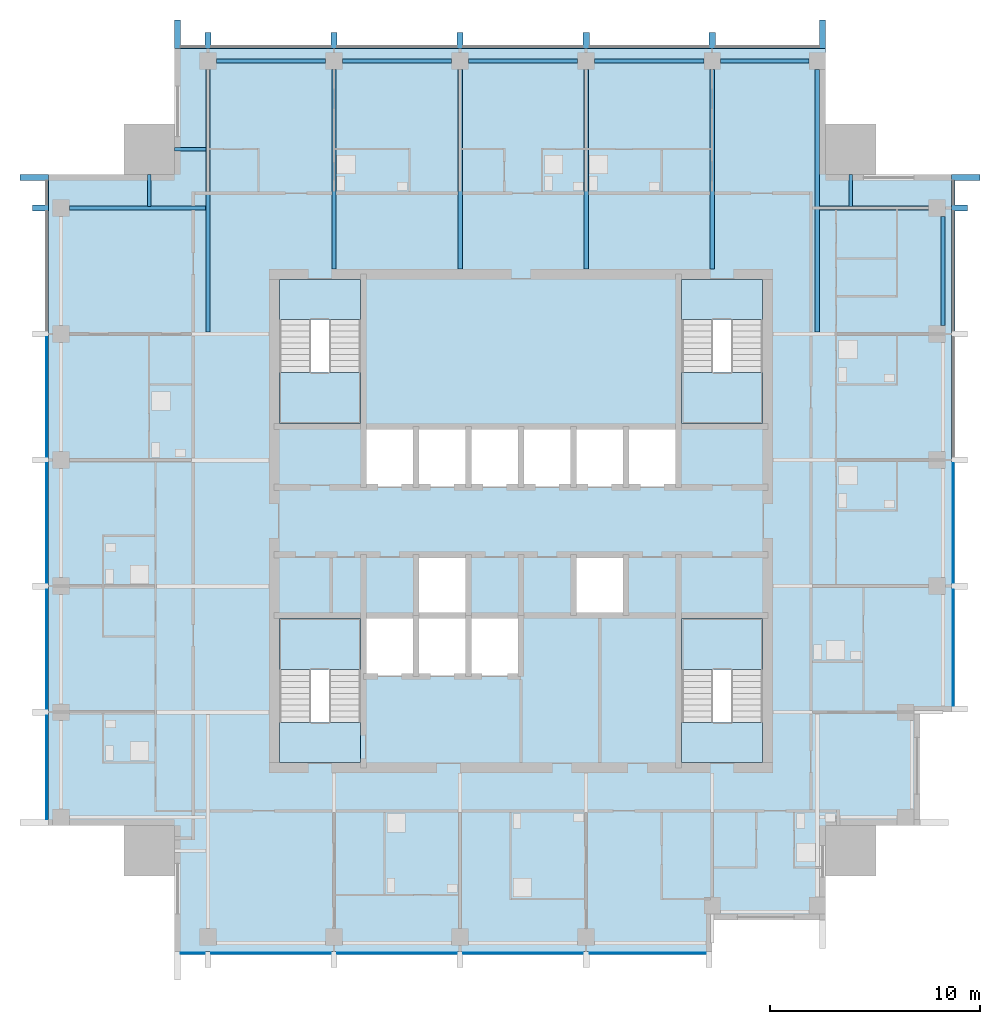
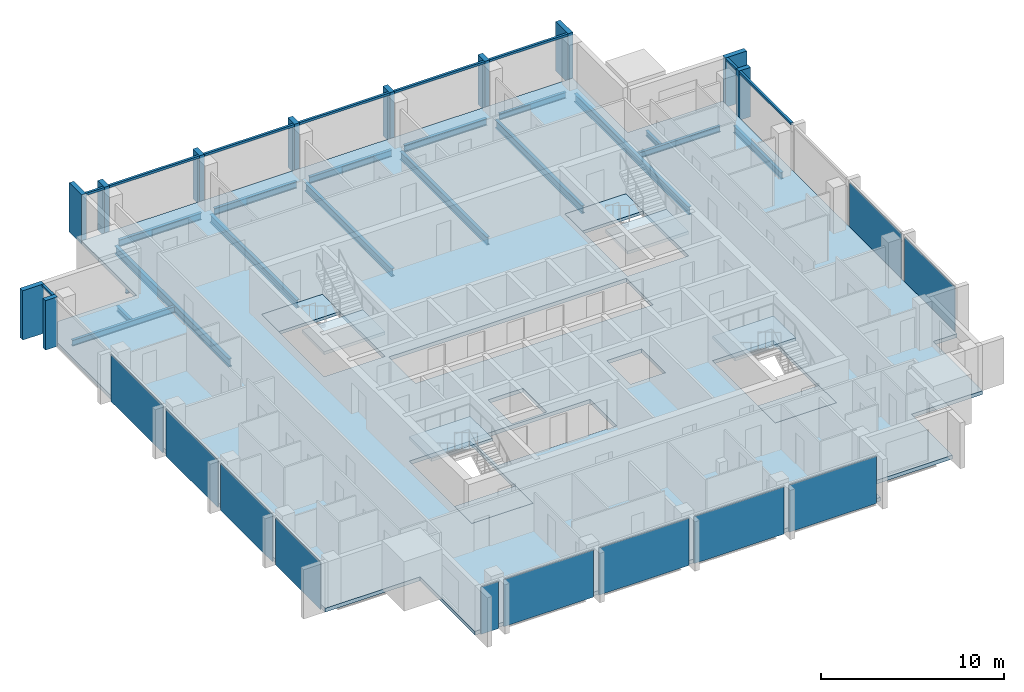
# One storey, part 2 of 9: 20 members, 17 beams, 11 plates, 9 slabs, 8 elements without a shape of their own.
"""IFC4 building model written with IfcOpenShell, lengths in metres."""

from ifc_helpers import new_model, si_unit, direction, frame, origin, origin_2d, place, context, subcontext, project, spatial, polyline, rectangle, i_section, outline, extrude, material, layer, layer_set, material_profile, profile_set, type_object, element, aggregate, save


model = new_model("IFC4")

# Units and contexts
model_context = context("Model", 3, precision=1e-05, world=origin(), true_north=direction((0.0, 1.0)))
body_context = subcontext(model_context, "Body", "Model", "MODEL_VIEW")
ifc_project = project(units=[si_unit("LENGTHUNIT", "METRE"), si_unit("AREAUNIT", "SQUARE_METRE"), si_unit("VOLUMEUNIT", "CUBIC_METRE"), si_unit("PLANEANGLEUNIT", "RADIAN"), si_unit("MASSUNIT", "GRAM", prefix="KILO")], contexts=[model_context])

# Site, building, storey
site_placement = place(None, origin())
site = spatial("IfcSite", under=ifc_project, at=site_placement, CompositionType="ELEMENT")
building_placement = place(site_placement, origin())
building = spatial("IfcBuilding", under=site, at=building_placement, Name="Amberfall Residences", CompositionType="ELEMENT")
storey_placement = place(building_placement, frame((0.0, 0.0, 265.300048828125)))
storey = spatial("IfcBuildingStorey", under=building, at=storey_placement, Name="L71", CompositionType="ELEMENT", Elevation=265.300048828125)

# Curtain wall, members
ifc_material_1 = material(Name="Bronze anodised aluminium and glass", Category="aluminium")
curtain_wall_type = type_object("IfcCurtainWallType", Name="Curtain wall CW1 tower unit", PredefinedType="USERDEFINED", material=ifc_material_1)
curtain_wall_1_placement = place(storey_placement, origin())
curtain_wall_1 = element("IfcCurtainWall", 1, at=curtain_wall_1_placement, inside=storey, type_object=curtain_wall_type, Name="Curtain wall L71 E E3", ObjectType="UNITISED CURTAIN WALL", PredefinedType="USERDEFINED")
ifc_material_2 = material(Name="Bronze anodised aluminium", Category="aluminium")
ifc_material_profile_1 = material_profile(ifc_material_2, rectangle(XDim=0.14990234375, YDim=0.14990234375, at=origin_2d()), Name="CW1 transom 150 x 150 bronze")
ifc_profile_set_1 = profile_set([ifc_material_profile_1], Name="Bronze anodised aluminium")
member_type_1 = type_object("IfcMemberType", Name="CW1 transom 150 x 150 bronze", PredefinedType="USERDEFINED", material=ifc_profile_set_1)
member_1_placement = place(storey_placement, frame((95.074951171875, 54.550048828125, 2.974853515625), z_axis=(0.0, 1.0, 0.0), x_axis=(-1.0, 0.0, 0.0)))
member_1 = element("IfcMember", 2, at=member_1_placement, type_object=member_type_1, Name="CW1 transom 4.1", ObjectType="TRANSOM", PredefinedType="USERDEFINED", context=body_context, shape_type="SweptSolid", body=[
    extrude(rectangle(XDim=0.14990234375, YDim=0.14990234375, at=origin_2d()), origin(), (0.0, 0.0, 1.0), 5.699951171875),
])
member_2_placement = place(storey_placement, frame((95.074951171875, 60.550048828125, 2.974853515625), z_axis=(0.0, 1.0, 0.0), x_axis=(-1.0, 0.0, 0.0)))
member_2 = element("IfcMember", 3, at=member_2_placement, type_object=member_type_1, Name="CW1 transom 5.1", ObjectType="TRANSOM", PredefinedType="USERDEFINED", context=body_context, shape_type="SweptSolid", body=[
    extrude(rectangle(XDim=0.14990234375, YDim=0.14990234375, at=origin_2d()), origin(), (0.0, 0.0, 1.0), 1.14990234375),
])

curtain_wall_2_placement = place(storey_placement, origin())
curtain_wall_2 = element("IfcCurtainWall", 4, at=curtain_wall_2_placement, inside=storey, type_object=curtain_wall_type, Name="Curtain wall L71 N N1", ObjectType="UNITISED CURTAIN WALL", PredefinedType="USERDEFINED")
member_3_placement = place(storey_placement, frame((88.699951171875, 68.074951171875, 2.974853515625), z_axis=(-1.0, 0.0, 0.0), x_axis=(0.0, -1.0, 0.0)))
member_3 = element("IfcMember", 5, at=member_3_placement, type_object=member_type_1, Name="CW1 transom 1.1", ObjectType="TRANSOM", PredefinedType="USERDEFINED", context=body_context, shape_type="SweptSolid", body=[
    extrude(rectangle(XDim=0.14990234375, YDim=0.14990234375, at=origin_2d()), origin(), (0.0, 0.0, 1.0), 4.949951171875),
])
member_4_placement = place(storey_placement, frame((83.449951171875, 68.074951171875, 2.974853515625), z_axis=(-1.0, 0.0, 0.0), x_axis=(0.0, -1.0, 0.0)))
member_4 = element("IfcMember", 6, at=member_4_placement, type_object=member_type_1, Name="CW1 transom 2.1", ObjectType="TRANSOM", PredefinedType="USERDEFINED", context=body_context, shape_type="SweptSolid", body=[
    extrude(rectangle(XDim=0.14990234375, YDim=0.14990234375, at=origin_2d()), origin(), (0.0, 0.0, 1.0), 5.699951171875),
])
member_5_placement = place(storey_placement, frame((77.449951171875, 68.074951171875, 2.974853515625), z_axis=(-1.0, 0.0, 0.0), x_axis=(0.0, -1.0, 0.0)))
member_5 = element("IfcMember", 7, at=member_5_placement, type_object=member_type_1, Name="CW1 transom 3.1", ObjectType="TRANSOM", PredefinedType="USERDEFINED", context=body_context, shape_type="SweptSolid", body=[
    extrude(rectangle(XDim=0.14990234375, YDim=0.14990234375, at=origin_2d()), origin(), (0.0, 0.0, 1.0), 5.699951171875),
])
member_6_placement = place(storey_placement, frame((71.449951171875, 68.074951171875, 2.974853515625), z_axis=(-1.0, 0.0, 0.0), x_axis=(0.0, -1.0, 0.0)))
member_6 = element("IfcMember", 8, at=member_6_placement, type_object=member_type_1, Name="CW1 transom 4.1", ObjectType="TRANSOM", PredefinedType="USERDEFINED", context=body_context, shape_type="SweptSolid", body=[
    extrude(rectangle(XDim=0.14990234375, YDim=0.14990234375, at=origin_2d()), origin(), (0.0, 0.0, 1.0), 5.699951171875),
])
member_7_placement = place(storey_placement, frame((65.449951171875, 68.074951171875, 2.974853515625), z_axis=(-1.0, 0.0, 0.0), x_axis=(0.0, -1.0, 0.0)))
member_7 = element("IfcMember", 9, at=member_7_placement, type_object=member_type_1, Name="CW1 transom 5.1", ObjectType="TRANSOM", PredefinedType="USERDEFINED", context=body_context, shape_type="SweptSolid", body=[
    extrude(rectangle(XDim=0.14990234375, YDim=0.14990234375, at=origin_2d()), origin(), (0.0, 0.0, 1.0), 5.699951171875),
])
member_8_placement = place(storey_placement, frame((59.449951171875, 68.074951171875, 2.974853515625), z_axis=(-1.0, 0.0, 0.0), x_axis=(0.0, -1.0, 0.0)))
member_8 = element("IfcMember", 10, at=member_8_placement, type_object=member_type_1, Name="CW1 transom 6.1", ObjectType="TRANSOM", PredefinedType="USERDEFINED", context=body_context, shape_type="SweptSolid", body=[
    extrude(rectangle(XDim=0.14990234375, YDim=0.14990234375, at=origin_2d()), origin(), (0.0, 0.0, 1.0), 1.14990234375),
])

# Curtain wall, member
curtain_wall_3_placement = place(storey_placement, origin())
curtain_wall_3 = element("IfcCurtainWall", 11, at=curtain_wall_3_placement, inside=storey, type_object=curtain_wall_type, Name="Curtain wall L71 W W1", ObjectType="UNITISED CURTAIN WALL", PredefinedType="USERDEFINED")
member_9_placement = place(storey_placement, frame((51.925048828125, 61.699951171875, 2.974853515625), z_axis=(0.0, -1.0, 0.0), x_axis=(1.0, 0.0, 0.0)))
member_9 = element("IfcMember", 12, at=member_9_placement, type_object=member_type_1, Name="CW1 transom 1.1", ObjectType="TRANSOM", PredefinedType="USERDEFINED", context=body_context, shape_type="SweptSolid", body=[
    extrude(rectangle(XDim=0.14990234375, YDim=0.14990234375, at=origin_2d()), origin(), (0.0, 0.0, 1.0), 1.14990234375),
])

# Member
ifc_material_profile_2 = material_profile(ifc_material_2, rectangle(XDim=1.35009765625, YDim=0.300048828125, at=origin_2d()), Name="Corner fin 300 x 1350 bronze")
ifc_profile_set_2 = profile_set([ifc_material_profile_2], Name="Bronze anodised aluminium")
member_type_2 = type_object("IfcMemberType", Name="Corner fin 300 x 1350 bronze", PredefinedType="MULLION", material=ifc_profile_set_2)
member_10_placement = place(storey_placement, frame((95.675048828125, 61.85009765625, -0.25), z_axis=(0.0, 0.0, 1.0), x_axis=(-1.0, 0.0, 0.0)))
member_10 = element("IfcMember", 13, at=member_10_placement, type_object=member_type_2, Name="CW FIN 6", PredefinedType="MULLION", context=body_context, shape_type="SweptSolid", body=[
    extrude(rectangle(XDim=1.35009765625, YDim=0.300048828125, at=origin_2d()), origin(), (0.0, 0.0, 1.0), 3.300048828125),
])

member_11_placement = place(storey_placement, frame((88.85009765625, 68.675048828125, -0.25), z_axis=(0.0, 0.0, 1.0), x_axis=(0.0, -1.0, 0.0)))
member_11 = element("IfcMember", 14, at=member_11_placement, type_object=member_type_2, Name="CW FIN 1", PredefinedType="MULLION", context=body_context, shape_type="SweptSolid", body=[
    extrude(rectangle(XDim=1.35009765625, YDim=0.300048828125, at=origin_2d()), origin(), (0.0, 0.0, 1.0), 3.300048828125),
])

member_12_placement = place(storey_placement, frame((58.14990234375, 68.675048828125, -0.25), z_axis=(0.0, 0.0, 1.0), x_axis=(0.0, -1.0, 0.0)))
member_12 = element("IfcMember", 15, at=member_12_placement, type_object=member_type_2, Name="CW FIN 7", PredefinedType="MULLION", context=body_context, shape_type="SweptSolid", body=[
    extrude(rectangle(XDim=1.35009765625, YDim=0.300048828125, at=origin_2d()), origin(), (0.0, 0.0, 1.0), 3.300048828125),
])

member_13_placement = place(storey_placement, frame((51.324951171875, 61.85009765625, -0.25), z_axis=(0.0, 0.0, 1.0), x_axis=(1.0, 0.0, 0.0)))
member_13 = element("IfcMember", 16, at=member_13_placement, type_object=member_type_2, Name="CW FIN 1", PredefinedType="MULLION", context=body_context, shape_type="SweptSolid", body=[
    extrude(rectangle(XDim=1.35009765625, YDim=0.300048828125, at=origin_2d()), origin(), (0.0, 0.0, 1.0), 3.300048828125),
])

# Beams
ifc_material_3 = material(Name="Steel S355", Category="steel")
ifc_material_profile_3 = material_profile(ifc_material_3, i_section(OverallWidth=0.177734375, OverallDepth=0.402587890625, WebThickness=0.0078125, FlangeThickness=0.010986328125, FilletRadius=0.01025390625, at=origin_2d()), Name="UB 406x178x54")
ifc_profile_set_3 = profile_set([ifc_material_profile_3], Name="Steel S355")
beam_type_1 = type_object("IfcBeamType", Name="Edge beam UB 406x178x54", PredefinedType="SPANDREL", material=ifc_profile_set_3)
beam_1_placement = place(storey_placement, frame((84.0, 67.39990234375, -0.451416015625), z_axis=(1.0, 0.0, 0.0), x_axis=(0.0, 1.0, 0.0)))
element("IfcBeam", 17, at=beam_1_placement, inside=storey, type_object=beam_type_1, Name="Edge beam B14 L71 29", PredefinedType="SPANDREL", context=body_context, shape_type="SweptSolid", body=[
    extrude(i_section(OverallWidth=0.177734375, OverallDepth=0.402587890625, WebThickness=0.0078125, FlangeThickness=0.010986328125, FilletRadius=0.01025390625, at=origin_2d()), origin(), (0.0, 0.0, 1.0), 4.199951171875),
])
ifc_material_profile_4 = material_profile(ifc_material_3, i_section(OverallWidth=0.18994140625, OverallDepth=0.453369140625, WebThickness=0.008544921875, FlangeThickness=0.0126953125, FilletRadius=0.01025390625, at=origin_2d()), Name="UB 457x191x67")
ifc_profile_set_4 = profile_set([ifc_material_profile_4], Name="Steel S355")
beam_type_2 = type_object("IfcBeamType", Name="Edge beam UB 457x191x67", PredefinedType="SPANDREL", material=ifc_profile_set_4)
for number, where, z_axis, x_axis, name in (
    (18, (94.60009765625, 54.800048828125, -0.476806640625), (0.0, 1.0, 0.0), (-1.0, 0.0, 0.0), "Edge beam B1 L71 17"),
    (19, (60.0, 67.39990234375, -0.476806640625), (1.0, 0.0, 0.0), (0.0, 1.0, 0.0), "Edge beam B1 L71 25"),
    (20, (66.0, 67.39990234375, -0.476806640625), (1.0, 0.0, 0.0), (0.0, 1.0, 0.0), "Edge beam B1 L71 26"),
    (21, (72.0, 67.39990234375, -0.476806640625), (1.0, 0.0, 0.0), (0.0, 1.0, 0.0), "Edge beam B1 L71 27"),
    (22, (78.0, 67.39990234375, -0.476806640625), (1.0, 0.0, 0.0), (0.0, 1.0, 0.0), "Edge beam B1 L71 28"),
):
    element("IfcBeam", number, at=place(storey_placement, frame(where, z_axis=z_axis, x_axis=x_axis)), inside=storey, type_object=beam_type_2, Name=name, PredefinedType="SPANDREL", context=body_context, shape_type="SweptSolid", body=[
        extrude(i_section(OverallWidth=0.18994140625, OverallDepth=0.453369140625, WebThickness=0.008544921875, FlangeThickness=0.0126953125, FilletRadius=0.01025390625, at=origin_2d()), origin(), (0.0, 0.0, 1.0), 5.199951171875),
    ])

# Member
ifc_material_profile_5 = material_profile(ifc_material_2, rectangle(XDim=0.75, YDim=0.300048828125, at=origin_2d()), Name="Fin 300 x 750 bronze")
ifc_profile_set_5 = profile_set([ifc_material_profile_5], Name="Bronze anodised aluminium")
member_type_3 = type_object("IfcMemberType", Name="Fin 300 x 750 bronze", PredefinedType="MULLION", material=ifc_profile_set_5)
member_14_placement = place(storey_placement, frame((95.375, 60.39990234375, -0.25), z_axis=(0.0, 0.0, 1.0), x_axis=(-1.0, 0.0, 0.0)))
member_14 = element("IfcMember", 23, at=member_14_placement, type_object=member_type_3, Name="CW FIN 5", PredefinedType="MULLION", context=body_context, shape_type="SweptSolid", body=[
    extrude(rectangle(XDim=0.75, YDim=0.300048828125, at=origin_2d()), origin(), (0.0, 0.0, 1.0), 3.300048828125),
])

member_15_placement = place(storey_placement, frame((83.60009765625, 68.375, -0.25), z_axis=(0.0, 0.0, 1.0), x_axis=(0.0, -1.0, 0.0)))
member_15 = element("IfcMember", 24, at=member_15_placement, type_object=member_type_3, Name="CW FIN 2", PredefinedType="MULLION", context=body_context, shape_type="SweptSolid", body=[
    extrude(rectangle(XDim=0.75, YDim=0.300048828125, at=origin_2d()), origin(), (0.0, 0.0, 1.0), 3.300048828125),
])

member_16_placement = place(storey_placement, frame((77.60009765625, 68.375, -0.25), z_axis=(0.0, 0.0, 1.0), x_axis=(0.0, -1.0, 0.0)))
member_16 = element("IfcMember", 25, at=member_16_placement, type_object=member_type_3, Name="CW FIN 3", PredefinedType="MULLION", context=body_context, shape_type="SweptSolid", body=[
    extrude(rectangle(XDim=0.75, YDim=0.300048828125, at=origin_2d()), origin(), (0.0, 0.0, 1.0), 3.300048828125),
])

member_17_placement = place(storey_placement, frame((71.60009765625, 68.375, -0.25), z_axis=(0.0, 0.0, 1.0), x_axis=(0.0, -1.0, 0.0)))
member_17 = element("IfcMember", 26, at=member_17_placement, type_object=member_type_3, Name="CW FIN 4", PredefinedType="MULLION", context=body_context, shape_type="SweptSolid", body=[
    extrude(rectangle(XDim=0.75, YDim=0.300048828125, at=origin_2d()), origin(), (0.0, 0.0, 1.0), 3.300048828125),
])

member_18_placement = place(storey_placement, frame((65.60009765625, 68.375, -0.25), z_axis=(0.0, 0.0, 1.0), x_axis=(0.0, -1.0, 0.0)))
member_18 = element("IfcMember", 27, at=member_18_placement, type_object=member_type_3, Name="CW FIN 5", PredefinedType="MULLION", context=body_context, shape_type="SweptSolid", body=[
    extrude(rectangle(XDim=0.75, YDim=0.300048828125, at=origin_2d()), origin(), (0.0, 0.0, 1.0), 3.300048828125),
])

member_19_placement = place(storey_placement, frame((59.60009765625, 68.375, -0.25), z_axis=(0.0, 0.0, 1.0), x_axis=(0.0, -1.0, 0.0)))
member_19 = element("IfcMember", 28, at=member_19_placement, type_object=member_type_3, Name="CW FIN 6", PredefinedType="MULLION", context=body_context, shape_type="SweptSolid", body=[
    extrude(rectangle(XDim=0.75, YDim=0.300048828125, at=origin_2d()), origin(), (0.0, 0.0, 1.0), 3.300048828125),
])

aggregate(curtain_wall_2, [member_11, member_15, member_16, member_17, member_18, member_19, member_12, member_3, member_4, member_5, member_6, member_7, member_8])

member_20_placement = place(storey_placement, frame((51.625, 60.39990234375, -0.25), z_axis=(0.0, 0.0, 1.0), x_axis=(1.0, 0.0, 0.0)))
member_20 = element("IfcMember", 29, at=member_20_placement, type_object=member_type_3, Name="CW FIN 2", PredefinedType="MULLION", context=body_context, shape_type="SweptSolid", body=[
    extrude(rectangle(XDim=0.75, YDim=0.300048828125, at=origin_2d()), origin(), (0.0, 0.0, 1.0), 3.300048828125),
])

# Beams
ifc_material_profile_6 = material_profile(ifc_material_3, i_section(OverallWidth=0.177734375, OverallDepth=0.402587890625, WebThickness=0.0078125, FlangeThickness=0.010986328125, FilletRadius=0.01025390625, at=origin_2d()), Name="UB 406x178x54")
ifc_profile_set_6 = profile_set([ifc_material_profile_6], Name="Steel S355")
beam_type_3 = type_object("IfcBeamType", Name="Floor girder UB 406x178x54", PredefinedType="BEAM", material=ifc_profile_set_6)
beam_2_placement = place(storey_placement, frame((93.89990234375, 60.39990234375, -0.451416015625), z_axis=(-1.0, 0.0, 0.0), x_axis=(0.0, -1.0, 0.0)))
element("IfcBeam", 30, at=beam_2_placement, inside=storey, type_object=beam_type_3, Name="Floor girder B4 L71 24", PredefinedType="BEAM", context=body_context, shape_type="SweptSolid", body=[
    extrude(i_section(OverallWidth=0.177734375, OverallDepth=0.402587890625, WebThickness=0.0078125, FlangeThickness=0.010986328125, FilletRadius=0.01025390625, at=origin_2d()), origin(), (0.0, 0.0, 1.0), 5.179931640625),
])
beam_3_placement = place(storey_placement, frame((53.0, 60.39990234375, -0.451416015625), z_axis=(1.0, 0.0, 0.0), x_axis=(0.0, 1.0, 0.0)))
element("IfcBeam", 31, at=beam_3_placement, inside=storey, type_object=beam_type_3, Name="Floor girder B4 L71 46", PredefinedType="BEAM", context=body_context, shape_type="SweptSolid", body=[
    extrude(i_section(OverallWidth=0.177734375, OverallDepth=0.402587890625, WebThickness=0.0078125, FlangeThickness=0.010986328125, FilletRadius=0.01025390625, at=origin_2d()), origin(), (0.0, 0.0, 1.0), 6.47998046875),
])
ifc_material_profile_7 = material_profile(ifc_material_3, i_section(OverallWidth=0.210693359375, OverallDepth=0.53955078125, WebThickness=0.01171875, FlangeThickness=0.018798828125, FilletRadius=0.0126953125, at=origin_2d()), Name="UB 533x210x109")
ifc_profile_set_7 = profile_set([ifc_material_profile_7], Name="Steel S355")
beam_type_4 = type_object("IfcBeamType", Name="Floor girder UB 533x210x109", PredefinedType="BEAM", material=ifc_profile_set_7)
beam_4_placement = place(storey_placement, frame((59.60009765625, 67.0, -0.519775390625), z_axis=(0.0, -1.0, 0.0), x_axis=(1.0, 0.0, 0.0)))
element("IfcBeam", 32, at=beam_4_placement, inside=storey, type_object=beam_type_4, Name="Floor girder B2 L71 30", PredefinedType="BEAM", context=body_context, shape_type="SweptSolid", body=[
    extrude(i_section(OverallWidth=0.210693359375, OverallDepth=0.53955078125, WebThickness=0.01171875, FlangeThickness=0.018798828125, FilletRadius=0.0126953125, at=origin_2d()), origin(), (0.0, 0.0, 1.0), 12.50048828125),
])
beam_5_placement = place(storey_placement, frame((88.60009765625, 67.0, -0.519775390625), z_axis=(0.0, -1.0, 0.0), x_axis=(1.0, 0.0, 0.0)))
element("IfcBeam", 33, at=beam_5_placement, inside=storey, type_object=beam_type_4, Name="Floor girder B2 L71 35", PredefinedType="BEAM", context=body_context, shape_type="SweptSolid", body=[
    extrude(i_section(OverallWidth=0.210693359375, OverallDepth=0.53955078125, WebThickness=0.01171875, FlangeThickness=0.018798828125, FilletRadius=0.0126953125, at=origin_2d()), origin(), (0.0, 0.0, 1.0), 12.509521484375),
])
ifc_material_profile_8 = material_profile(ifc_material_3, i_section(OverallWidth=0.209228515625, OverallDepth=0.533203125, WebThickness=0.010009765625, FlangeThickness=0.015625, FilletRadius=0.0126953125, at=origin_2d()), Name="UB 533x210x92")
ifc_profile_set_8 = profile_set([ifc_material_profile_8], Name="Steel S355")
beam_type_5 = type_object("IfcBeamType", Name="Floor girder UB 533x210x92", PredefinedType="BEAM", material=ifc_profile_set_8)
for number, where, z_axis, x_axis, name in (
    (34, (65.60009765625, 67.0, -0.5166015625), (0.0, -1.0, 0.0), (1.0, 0.0, 0.0), "Floor girder B3 L71 31"),
    (35, (71.60009765625, 67.0, -0.5166015625), (0.0, -1.0, 0.0), (1.0, 0.0, 0.0), "Floor girder B3 L71 32"),
    (36, (77.60009765625, 67.0, -0.5166015625), (0.0, -1.0, 0.0), (1.0, 0.0, 0.0), "Floor girder B3 L71 33"),
    (37, (83.60009765625, 67.0, -0.5166015625), (0.0, -1.0, 0.0), (1.0, 0.0, 0.0), "Floor girder B3 L71 34"),
):
    element("IfcBeam", number, at=place(storey_placement, frame(where, z_axis=z_axis, x_axis=x_axis)), inside=storey, type_object=beam_type_5, Name=name, PredefinedType="BEAM", context=body_context, shape_type="SweptSolid", body=[
        extrude(i_section(OverallWidth=0.209228515625, OverallDepth=0.533203125, WebThickness=0.010009765625, FlangeThickness=0.015625, FilletRadius=0.0126953125, at=origin_2d()), origin(), (0.0, 0.0, 1.0), 9.5),
    ])
ifc_material_profile_9 = material_profile(ifc_material_3, i_section(OverallWidth=0.171142578125, OverallDepth=0.351318359375, WebThickness=0.007080078125, FlangeThickness=0.009765625, FilletRadius=0.01025390625, at=origin_2d()), Name="UB 356x171x45")
ifc_profile_set_9 = profile_set([ifc_material_profile_9], Name="Steel S355")
beam_type_6 = type_object("IfcBeamType", Name="Link beam UB 356x171x45", PredefinedType="BEAM", material=ifc_profile_set_9)
beam_6_placement = place(storey_placement, frame((90.199951171875, 62.0, -0.42578125), z_axis=(0.0, -1.0, 0.0), x_axis=(1.0, 0.0, 0.0)))
element("IfcBeam", 38, at=beam_6_placement, inside=storey, type_object=beam_type_6, Name="Link beam B7 L71 48", PredefinedType="BEAM", context=body_context, shape_type="SweptSolid", body=[
    extrude(i_section(OverallWidth=0.171142578125, OverallDepth=0.351318359375, WebThickness=0.007080078125, FlangeThickness=0.009765625, FilletRadius=0.01025390625, at=origin_2d()), origin(), (0.0, 0.0, 1.0), 1.52099609375),
])
beam_7_placement = place(storey_placement, frame((58.0, 63.199951171875, -0.42578125), z_axis=(1.0, 0.0, 0.0), x_axis=(0.0, 1.0, 0.0)))
element("IfcBeam", 39, at=beam_7_placement, inside=storey, type_object=beam_type_6, Name="Link beam B7 L71 49", PredefinedType="BEAM", context=body_context, shape_type="SweptSolid", body=[
    extrude(i_section(OverallWidth=0.171142578125, OverallDepth=0.351318359375, WebThickness=0.007080078125, FlangeThickness=0.009765625, FilletRadius=0.01025390625, at=origin_2d()), origin(), (0.0, 0.0, 1.0), 1.504638671875),
])
beam_8_placement = place(storey_placement, frame((56.800048828125, 62.0, -0.42578125), z_axis=(0.0, -1.0, 0.0), x_axis=(1.0, 0.0, 0.0)))
element("IfcBeam", 40, at=beam_8_placement, inside=storey, type_object=beam_type_6, Name="Link beam B7 L71 50", PredefinedType="BEAM", context=body_context, shape_type="SweptSolid", body=[
    extrude(i_section(OverallWidth=0.171142578125, OverallDepth=0.351318359375, WebThickness=0.007080078125, FlangeThickness=0.009765625, FilletRadius=0.01025390625, at=origin_2d()), origin(), (0.0, 0.0, 1.0), 1.52099609375),
])

# Curtain wall, plates
curtain_wall_4_placement = place(storey_placement, origin())
curtain_wall_4 = element("IfcCurtainWall", 41, at=curtain_wall_4_placement, inside=storey, type_object=curtain_wall_type, Name="Curtain wall L71 S S1", ObjectType="UNITISED CURTAIN WALL", PredefinedType="USERDEFINED")
ifc_material_4 = material(Name="Tinted double glazed unit", Category="glass")
ifc_layer_1 = layer(ifc_material_4, 0.035888671875)
ifc_layer_set_1 = layer_set([ifc_layer_1], Name="CW1 panel 36 glazing")
plate_type = type_object("IfcPlateType", Name="CW1 panel 36 glazing", PredefinedType="CURTAIN_PANEL", material=ifc_layer_set_1)
plate_1_placement = place(storey_placement, frame((58.875, 24.925048828125, -0.25), z_axis=(0.0, 0.0, 1.0), x_axis=(1.0, 0.0, 0.0)))
plate_1 = element("IfcPlate", 42, at=plate_1_placement, type_object=plate_type, Name="CW1 panel 1.1", PredefinedType="CURTAIN_PANEL", context=body_context, shape_type="SweptSolid", body=[
    extrude(rectangle(XDim=1.1259765625, YDim=0.035888671875, at=origin_2d()), origin(), (0.0, 0.0, 1.0), 3.14990234375),
])
plate_2_placement = place(storey_placement, frame((62.60009765625, 24.925048828125, -0.25), z_axis=(0.0, 0.0, 1.0), x_axis=(1.0, 0.0, 0.0)))
plate_2 = element("IfcPlate", 43, at=plate_2_placement, type_object=plate_type, Name="CW1 panel 2.1", PredefinedType="CURTAIN_PANEL", context=body_context, shape_type="SweptSolid", body=[
    extrude(rectangle(XDim=5.676025390625, YDim=0.035888671875, at=origin_2d()), origin(), (0.0, 0.0, 1.0), 3.14990234375),
])
plate_3_placement = place(storey_placement, frame((68.60009765625, 24.925048828125, -0.25), z_axis=(0.0, 0.0, 1.0), x_axis=(1.0, 0.0, 0.0)))
plate_3 = element("IfcPlate", 44, at=plate_3_placement, type_object=plate_type, Name="CW1 panel 3.1", PredefinedType="CURTAIN_PANEL", context=body_context, shape_type="SweptSolid", body=[
    extrude(rectangle(XDim=5.676025390625, YDim=0.035888671875, at=origin_2d()), origin(), (0.0, 0.0, 1.0), 3.14990234375),
])
plate_4_placement = place(storey_placement, frame((74.60009765625, 24.925048828125, -0.25), z_axis=(0.0, 0.0, 1.0), x_axis=(1.0, 0.0, 0.0)))
plate_4 = element("IfcPlate", 45, at=plate_4_placement, type_object=plate_type, Name="CW1 panel 4.1", PredefinedType="CURTAIN_PANEL", context=body_context, shape_type="SweptSolid", body=[
    extrude(rectangle(XDim=5.676025390625, YDim=0.035888671875, at=origin_2d()), origin(), (0.0, 0.0, 1.0), 3.14990234375),
])
plate_5_placement = place(storey_placement, frame((80.52490234375, 24.925048828125, -0.25), z_axis=(0.0, 0.0, 1.0), x_axis=(1.0, 0.0, 0.0)))
plate_5 = element("IfcPlate", 46, at=plate_5_placement, type_object=plate_type, Name="CW1 panel 5.1", PredefinedType="CURTAIN_PANEL", context=body_context, shape_type="SweptSolid", body=[
    extrude(rectangle(XDim=5.52587890625, YDim=0.035888671875, at=origin_2d()), origin(), (0.0, 0.0, 1.0), 3.14990234375),
])
aggregate(curtain_wall_4, [plate_1, plate_2, plate_3, plate_4, plate_5])

# Plate
plate_6_placement = place(storey_placement, frame((95.074951171875, 39.47509765625, -0.25), z_axis=(0.0, 0.0, 1.0), x_axis=(0.0, 1.0, 0.0)))
plate_6 = element("IfcPlate", 47, at=plate_6_placement, type_object=plate_type, Name="CW1 panel 1.1", PredefinedType="CURTAIN_PANEL", context=body_context, shape_type="SweptSolid", body=[
    extrude(rectangle(XDim=5.52587890625, YDim=0.035888671875, at=origin_2d()), origin(), (0.0, 0.0, 1.0), 3.14990234375),
])

plate_7_placement = place(storey_placement, frame((95.074951171875, 45.39990234375, -0.25), z_axis=(0.0, 0.0, 1.0), x_axis=(0.0, 1.0, 0.0)))
plate_7 = element("IfcPlate", 48, at=plate_7_placement, type_object=plate_type, Name="CW1 panel 2.1", PredefinedType="CURTAIN_PANEL", context=body_context, shape_type="SweptSolid", body=[
    extrude(rectangle(XDim=5.676025390625, YDim=0.035888671875, at=origin_2d()), origin(), (0.0, 0.0, 1.0), 3.14990234375),
])

aggregate(curtain_wall_1, [member_14, member_10, plate_6, plate_7, member_1, member_2])

plate_8_placement = place(storey_placement, frame((51.925048828125, 51.39990234375, -0.25), z_axis=(0.0, 0.0, 1.0), x_axis=(0.0, -1.0, 0.0)))
plate_8 = element("IfcPlate", 49, at=plate_8_placement, type_object=plate_type, Name="CW1 panel 3.1", PredefinedType="CURTAIN_PANEL", context=body_context, shape_type="SweptSolid", body=[
    extrude(rectangle(XDim=5.676025390625, YDim=0.035888671875, at=origin_2d()), origin(), (0.0, 0.0, 1.0), 3.14990234375),
])

plate_9_placement = place(storey_placement, frame((51.925048828125, 45.39990234375, -0.25), z_axis=(0.0, 0.0, 1.0), x_axis=(0.0, -1.0, 0.0)))
plate_9 = element("IfcPlate", 50, at=plate_9_placement, type_object=plate_type, Name="CW1 panel 4.1", PredefinedType="CURTAIN_PANEL", context=body_context, shape_type="SweptSolid", body=[
    extrude(rectangle(XDim=5.676025390625, YDim=0.035888671875, at=origin_2d()), origin(), (0.0, 0.0, 1.0), 3.14990234375),
])

plate_10_placement = place(storey_placement, frame((51.925048828125, 39.39990234375, -0.25), z_axis=(0.0, 0.0, 1.0), x_axis=(0.0, -1.0, 0.0)))
plate_10 = element("IfcPlate", 51, at=plate_10_placement, type_object=plate_type, Name="CW1 panel 5.1", PredefinedType="CURTAIN_PANEL", context=body_context, shape_type="SweptSolid", body=[
    extrude(rectangle(XDim=5.676025390625, YDim=0.035888671875, at=origin_2d()), origin(), (0.0, 0.0, 1.0), 3.14990234375),
])

plate_11_placement = place(storey_placement, frame((51.925048828125, 33.77490234375, -0.25), z_axis=(0.0, 0.0, 1.0), x_axis=(0.0, -1.0, 0.0)))
plate_11 = element("IfcPlate", 52, at=plate_11_placement, type_object=plate_type, Name="CW1 panel 6.1", PredefinedType="CURTAIN_PANEL", context=body_context, shape_type="SweptSolid", body=[
    extrude(rectangle(XDim=4.926025390625, YDim=0.035888671875, at=origin_2d()), origin(), (0.0, 0.0, 1.0), 3.14990234375),
])

aggregate(curtain_wall_3, [member_13, member_20, member_9, plate_8, plate_9, plate_10, plate_11])

# Slab
ifc_material_5 = material(Name="Concrete C50", Category="concrete")
ifc_layer_2 = layer(ifc_material_5, 0.25)
ifc_layer_set_2 = layer_set([ifc_layer_2], Name="Floor slab 250 C50")
slab_type_1 = type_object("IfcSlabType", Name="Floor slab 250 C50", PredefinedType="FLOOR", material=ifc_layer_set_2)
slab_1_placement = place(storey_placement, frame((0.0, 0.0, -0.25)))
element("IfcSlab", 53, at=slab_1_placement, inside=storey, type_object=slab_type_1, Name="Floor slab S19 L71", PredefinedType="FLOOR", context=body_context, shape_type="SweptSolid", body=[
    extrude(outline(polyline([(83.60009765625, 26.5), (83.60009765625, 25.0), (58.0, 25.0), (58.0, 31.0), (52.0, 31.0), (52.0, 62.0), (58.0, 62.0), (58.0, 68.0), (89.0, 68.0), (89.0, 62.0), (95.0, 62.0), (95.0, 36.39990234375), (93.5, 36.39990234375), (93.5, 31.0), (89.0, 31.0), (89.0, 26.5), (83.60009765625, 26.5)]), holes=[polyline([(86.0, 34.0), (86.0, 40.85009765625), (82.14990234375, 40.85009765625), (82.14990234375, 34.0), (86.0, 34.0)]), polyline([(86.0, 50.14990234375), (86.0, 57.0), (82.14990234375, 57.0), (82.14990234375, 50.14990234375), (86.0, 50.14990234375)]), polyline([(72.0, 50.0), (69.5, 50.0), (67.0, 50.0), (67.0, 47.10009765625), (69.5, 47.10009765625), (72.0, 47.10009765625), (74.5, 47.10009765625), (77.0, 47.10009765625), (79.5, 47.10009765625), (82.0, 47.10009765625), (82.0, 50.0), (79.5, 50.0), (77.0, 50.0), (74.5, 50.0), (72.0, 50.0)]), polyline([(79.35009765625, 41.14990234375), (79.35009765625, 43.75), (77.14990234375, 43.75), (77.14990234375, 41.14990234375), (79.35009765625, 41.14990234375)]), polyline([(69.5, 41.0), (67.0, 41.0), (67.0, 38.10009765625), (69.5, 38.10009765625), (72.0, 38.10009765625), (74.5, 38.10009765625), (74.5, 41.0), (72.0, 41.0), (69.5, 41.0)]), polyline([(71.85009765625, 41.14990234375), (71.85009765625, 43.75), (69.64990234375, 43.75), (69.64990234375, 41.14990234375), (71.85009765625, 41.14990234375)]), polyline([(66.85009765625, 50.14990234375), (66.85009765625, 57.0), (63.0, 57.0), (63.0, 50.14990234375), (66.85009765625, 50.14990234375)]), polyline([(66.85009765625, 40.85009765625), (63.0, 40.85009765625), (63.0, 34.0), (66.85009765625, 34.0), (66.85009765625, 40.85009765625)])]), origin(), (0.0, 0.0, 1.0), 0.25),
])

# Stair, slabs
ifc_material_6 = material(Name="Concrete C40", Category="concrete")
stair_type = type_object("IfcStairType", Name="Exit stair 20 risers 165.0 mm", PredefinedType="HALF_TURN_STAIR", material=ifc_material_6)
stair_1_placement = place(storey_placement, origin())
stair_1 = element("IfcStair", 54, at=stair_1_placement, inside=storey, type_object=stair_type, Name="L71 Exit stair 1", PredefinedType="HALF_TURN_STAIR")
ifc_layer_3 = layer(ifc_material_6, 0.199951171875)
ifc_layer_set_3 = layer_set([ifc_layer_3], Name="Stair landing 200")
slab_type_2 = type_object("IfcSlabType", Name="Stair landing 200", PredefinedType="LANDING", material=ifc_layer_set_3)
slab_2_placement = place(storey_placement, frame((0.0, 0.0, 1.449951171875)))
slab_2 = element("IfcSlab", 55, at=slab_2_placement, type_object=slab_type_2, Name="ST3 landing 1", PredefinedType="LANDING", context=body_context, shape_type="SweptSolid", body=[
    extrude(outline(polyline([(66.85009765625, 38.419921875), (66.85009765625, 40.85009765625), (63.0, 40.85009765625), (63.0, 38.419921875), (66.85009765625, 38.419921875)])), origin(), (0.0, 0.0, 1.0), 0.199951171875),
])
slab_3_placement = place(storey_placement, frame((0.0, 0.0, -0.199951171875)))
slab_3 = element("IfcSlab", 56, at=slab_3_placement, type_object=slab_type_2, Name="ST3 landing 2", PredefinedType="LANDING", context=body_context, shape_type="SweptSolid", body=[
    extrude(outline(polyline([(66.85009765625, 34.0), (66.85009765625, 35.89990234375), (63.0, 35.89990234375), (63.0, 34.0), (66.85009765625, 34.0)])), origin(), (0.0, 0.0, 1.0), 0.199951171875),
])
aggregate(stair_1, [slab_2, slab_3])

stair_2_placement = place(storey_placement, origin())
stair_2 = element("IfcStair", 57, at=stair_2_placement, inside=storey, type_object=stair_type, Name="L71 Exit stair 2", PredefinedType="HALF_TURN_STAIR")
slab_4_placement = place(storey_placement, frame((0.0, 0.0, 1.449951171875)))
slab_4 = element("IfcSlab", 58, at=slab_4_placement, type_object=slab_type_2, Name="ST3 landing 1", PredefinedType="LANDING", context=body_context, shape_type="SweptSolid", body=[
    extrude(outline(polyline([(86.0, 38.419921875), (86.0, 40.85009765625), (82.14990234375, 40.85009765625), (82.14990234375, 38.419921875), (86.0, 38.419921875)])), origin(), (0.0, 0.0, 1.0), 0.199951171875),
])
slab_5_placement = place(storey_placement, frame((0.0, 0.0, -0.199951171875)))
slab_5 = element("IfcSlab", 59, at=slab_5_placement, type_object=slab_type_2, Name="ST3 landing 2", PredefinedType="LANDING", context=body_context, shape_type="SweptSolid", body=[
    extrude(outline(polyline([(86.0, 34.0), (86.0, 35.89990234375), (82.14990234375, 35.89990234375), (82.14990234375, 34.0), (86.0, 34.0)])), origin(), (0.0, 0.0, 1.0), 0.199951171875),
])
aggregate(stair_2, [slab_4, slab_5])

stair_3_placement = place(storey_placement, origin())
stair_3 = element("IfcStair", 60, at=stair_3_placement, inside=storey, type_object=stair_type, Name="L71 Exit stair 3", PredefinedType="HALF_TURN_STAIR")
slab_6_placement = place(storey_placement, frame((0.0, 0.0, 1.449951171875)))
slab_6 = element("IfcSlab", 61, at=slab_6_placement, type_object=slab_type_2, Name="ST3 landing 1", PredefinedType="LANDING", context=body_context, shape_type="SweptSolid", body=[
    extrude(outline(polyline([(82.14990234375, 52.580078125), (82.14990234375, 50.14990234375), (86.0, 50.14990234375), (86.0, 52.580078125), (82.14990234375, 52.580078125)])), origin(), (0.0, 0.0, 1.0), 0.199951171875),
])
slab_7_placement = place(storey_placement, frame((0.0, 0.0, -0.199951171875)))
slab_7 = element("IfcSlab", 62, at=slab_7_placement, type_object=slab_type_2, Name="ST3 landing 2", PredefinedType="LANDING", context=body_context, shape_type="SweptSolid", body=[
    extrude(outline(polyline([(82.14990234375, 57.0), (82.14990234375, 55.10009765625), (86.0, 55.10009765625), (86.0, 57.0), (82.14990234375, 57.0)])), origin(), (0.0, 0.0, 1.0), 0.199951171875),
])
aggregate(stair_3, [slab_6, slab_7])

stair_4_placement = place(storey_placement, origin())
stair_4 = element("IfcStair", 63, at=stair_4_placement, inside=storey, type_object=stair_type, Name="L71 Exit stair 4", PredefinedType="HALF_TURN_STAIR")
slab_8_placement = place(storey_placement, frame((0.0, 0.0, 1.449951171875)))
slab_8 = element("IfcSlab", 64, at=slab_8_placement, type_object=slab_type_2, Name="ST3 landing 1", PredefinedType="LANDING", context=body_context, shape_type="SweptSolid", body=[
    extrude(outline(polyline([(63.0, 52.580078125), (63.0, 50.14990234375), (66.85009765625, 50.14990234375), (66.85009765625, 52.580078125), (63.0, 52.580078125)])), origin(), (0.0, 0.0, 1.0), 0.199951171875),
])
slab_9_placement = place(storey_placement, frame((0.0, 0.0, -0.199951171875)))
slab_9 = element("IfcSlab", 65, at=slab_9_placement, type_object=slab_type_2, Name="ST3 landing 2", PredefinedType="LANDING", context=body_context, shape_type="SweptSolid", body=[
    extrude(outline(polyline([(63.0, 57.0), (63.0, 55.10009765625), (66.85009765625, 55.10009765625), (66.85009765625, 57.0), (63.0, 57.0)])), origin(), (0.0, 0.0, 1.0), 0.199951171875),
])
aggregate(stair_4, [slab_8, slab_9])

save(model, "model.ifc")
